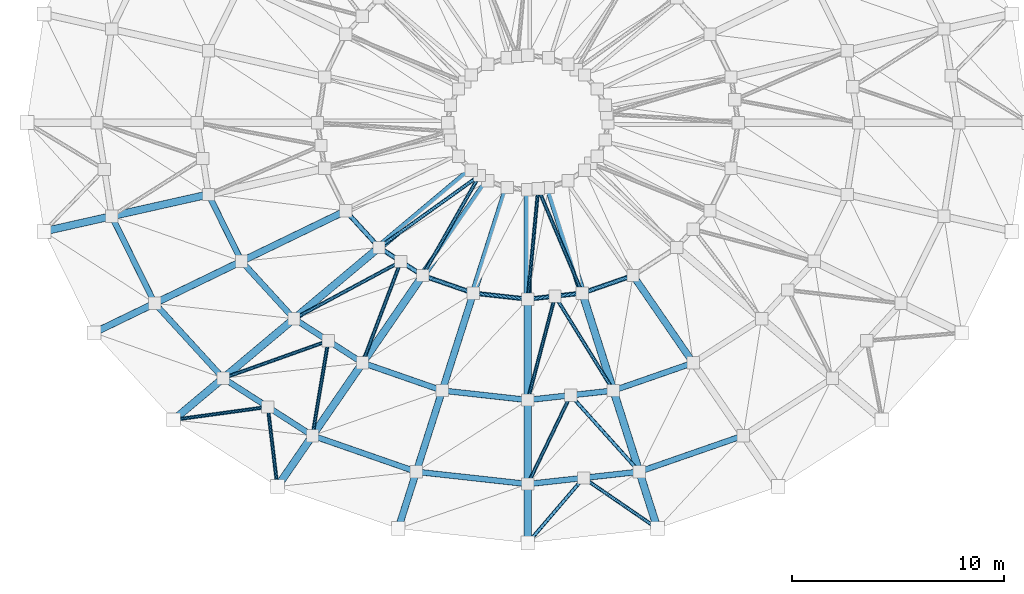
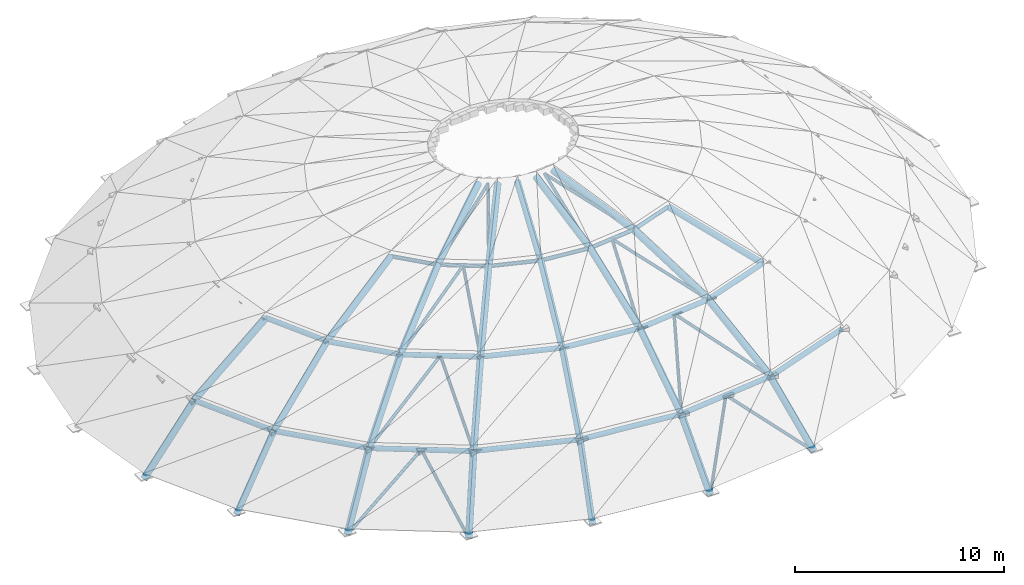
# One storey, part 1 of 11: 62 members.
"""IFC4 building model written with IfcOpenShell, lengths in metres."""

from ifc_helpers import new_model, si_unit, direction, frame, origin, origin_2d, place, context, subcontext, project, spatial, hollow_circle, extrude, material, material_profile, profile_set, type_object, element, save


model = new_model("IFC4")

# Units and contexts
model_context = context("Model", 3, precision=1e-05, world=origin(), true_north=direction((0.0, 1.0)))
body_context = subcontext(model_context, "Body", "Model", "MODEL_VIEW")
ifc_project = project(units=[si_unit("LENGTHUNIT", "METRE"), si_unit("AREAUNIT", "SQUARE_METRE"), si_unit("VOLUMEUNIT", "CUBIC_METRE"), si_unit("PLANEANGLEUNIT", "RADIAN"), si_unit("MASSUNIT", "GRAM", prefix="KILO")], contexts=[model_context])

# Site, building, storey
site_placement = place(None, origin())
site = spatial("IfcSite", under=ifc_project, at=site_placement, CompositionType="ELEMENT")
building_placement = place(site_placement, origin())
building = spatial("IfcBuilding", under=site, at=building_placement, Name="Parian Resonance Hall", CompositionType="ELEMENT")
storey_placement = place(building_placement, frame((0.0, 0.0, 27.60009765625)))
storey = spatial("IfcBuildingStorey", under=building, at=storey_placement, Name="ROOF", CompositionType="ELEMENT", Elevation=27.60009765625)

# Members
ifc_material_1 = material(Name="Hollow structural steel S355", Category="steel")
ifc_material_profile_1 = material_profile(ifc_material_1, hollow_circle(Radius=0.084228515625, WallThickness=0.008056640625, at=origin_2d()), Name="CHS168.3x8")
ifc_profile_set_1 = profile_set([ifc_material_profile_1], Name="Hollow structural steel S355")
member_type_1 = type_object("IfcMemberType", Name="MEM-CHS168", PredefinedType="BRACE", material=ifc_profile_set_1)
member_1_placement = place(storey_placement, frame((27.312255859375, 29.999267578125, -6.830078125), z_axis=(0.819800690058, 0.112114892479, 0.561566629586), x_axis=(-0.135497488008, 0.99077768987, 0.0)))
element("IfcMember", 1, at=member_1_placement, inside=storey, type_object=member_type_1, Name="Dome sector K-brace 6.1A", PredefinedType="BRACE", context=body_context, shape_type="SweptSolid", body=[
    extrude(hollow_circle(Radius=0.084228515625, WallThickness=0.008056640625, at=origin_2d()), origin(), (0.0, 0.0, 1.0), 5.41357421875),
])
member_2_placement = place(storey_placement, frame((32.199951171875, 26.852783203125, -6.830078125), z_axis=(-0.092703946862, 0.773740759532, 0.626682707018), x_axis=(-0.992898824592, -0.118961859952, 0.0)))
element("IfcMember", 2, at=member_2_placement, inside=storey, type_object=member_type_1, Name="Dome sector K-brace 6.1B", PredefinedType="BRACE", context=body_context, shape_type="SweptSolid", body=[
    extrude(hollow_circle(Radius=0.084228515625, WallThickness=0.008056640625, at=origin_2d()), origin(), (0.0, 0.0, 1.0), 4.85107421875),
])
member_3_placement = place(storey_placement, frame((29.648681640625, 31.95947265625, -3.7900390625), z_axis=(0.844414372986, 0.300502742786, 0.443466422938), x_axis=(-0.335273641544, 0.94212079124, 0.0)))
element("IfcMember", 3, at=member_3_placement, inside=storey, type_object=member_type_1, Name="Dome sector K-brace 6.2A", PredefinedType="BRACE", context=body_context, shape_type="SweptSolid", body=[
    extrude(hollow_circle(Radius=0.084228515625, WallThickness=0.008056640625, at=origin_2d()), origin(), (0.0, 0.0, 1.0), 5.862548828125),
])
member_4_placement = place(storey_placement, frame((33.85205078125, 29.25341796875, -3.7900390625), z_axis=(0.143038324777, 0.855425275625, 0.497782719133), x_axis=(-0.98630638467, 0.164923362683, 0.0)))
element("IfcMember", 4, at=member_4_placement, inside=storey, type_object=member_type_1, Name="Dome sector K-brace 6.2B", PredefinedType="BRACE", context=body_context, shape_type="SweptSolid", body=[
    extrude(hollow_circle(Radius=0.084228515625, WallThickness=0.008056640625, at=origin_2d()), origin(), (0.0, 0.0, 1.0), 5.222900390625),
])
member_5_placement = place(storey_placement, frame((32.986083984375, 34.759521484375, -1.190185546875), z_axis=(0.840414485122, 0.450893442767, 0.300663593518), x_axis=(-0.472768310909, 0.881186770328, 0.0)))
element("IfcMember", 5, at=member_5_placement, inside=storey, type_object=member_type_1, Name="Dome sector K-brace 6.3A", PredefinedType="BRACE", context=body_context, shape_type="SweptSolid", body=[
    extrude(hollow_circle(Radius=0.084228515625, WallThickness=0.008056640625, at=origin_2d()), origin(), (0.0, 0.0, 1.0), 5.98681640625),
])
member_6_placement = place(storey_placement, frame((36.2119140625, 32.682861328125, -1.190185546875), z_axis=(0.333514407723, 0.882171762884, 0.332477248262), x_axis=(-0.935384598933, 0.353632085759, 0.0)))
element("IfcMember", 6, at=member_6_placement, inside=storey, type_object=member_type_1, Name="Dome sector K-brace 6.3B", PredefinedType="BRACE", context=body_context, shape_type="SweptSolid", body=[
    extrude(hollow_circle(Radius=0.084228515625, WallThickness=0.008056640625, at=origin_2d()), origin(), (0.0, 0.0, 1.0), 5.4140625),
])
member_7_placement = place(storey_placement, frame((36.9912109375, 38.11962890625, 0.60986328125), z_axis=(0.800918636293, 0.573827010362, 0.171031869011), x_axis=(-0.582408510243, 0.812896258569, 0.0)))
element("IfcMember", 7, at=member_7_placement, inside=storey, type_object=member_type_1, Name="Dome sector K-brace 6.4A", PredefinedType="BRACE", context=body_context, shape_type="SweptSolid", body=[
    extrude(hollow_circle(Radius=0.084228515625, WallThickness=0.008056640625, at=origin_2d()), origin(), (0.0, 0.0, 1.0), 5.9052734375),
])
member_8_placement = place(storey_placement, frame((39.0439453125, 36.798095703125, 0.60986328125), z_axis=(0.485745159588, 0.854672263012, 0.1832674624), x_axis=(-0.869397165305, 0.494113923058, 0.0)))
element("IfcMember", 8, at=member_8_placement, inside=storey, type_object=member_type_1, Name="Dome sector K-brace 6.4B", PredefinedType="BRACE", context=body_context, shape_type="SweptSolid", body=[
    extrude(hollow_circle(Radius=0.084228515625, WallThickness=0.008056640625, at=origin_2d()), origin(), (0.0, 0.0, 1.0), 5.51123046875),
])
member_9_placement = place(storey_placement, frame((44.0, 24.199951171875, -6.830078125), z_axis=(0.519938489796, 0.606208261527, 0.601810194733), x_axis=(-0.759051522414, 0.651030557134, 0.0)))
element("IfcMember", 9, at=member_9_placement, inside=storey, type_object=member_type_1, Name="Dome sector K-brace 7.1A", PredefinedType="BRACE", context=body_context, shape_type="SweptSolid", body=[
    extrude(hollow_circle(Radius=0.084228515625, WallThickness=0.008056640625, at=origin_2d()), origin(), (0.0, 0.0, 1.0), 5.051513671875),
])
member_10_placement = place(storey_placement, frame((50.108154296875, 24.874755859375, -6.830078125), z_axis=(-0.669259685463, 0.458922268014, 0.584364462758), x_axis=(-0.565529479419, -0.824728081193, 0.0)))
element("IfcMember", 10, at=member_10_placement, inside=storey, type_object=member_type_1, Name="Dome sector K-brace 7.1B", PredefinedType="BRACE", context=body_context, shape_type="SweptSolid", body=[
    extrude(hollow_circle(Radius=0.084228515625, WallThickness=0.008056640625, at=origin_2d()), origin(), (0.0, 0.0, 1.0), 5.202392578125),
])
member_11_placement = place(storey_placement, frame((44.0, 26.971923828125, -3.7900390625), z_axis=(0.378770424137, 0.786031210846, 0.488556958168), x_axis=(-0.900862325877, 0.434104906464, 0.0)))
element("IfcMember", 11, at=member_11_placement, inside=storey, type_object=member_type_1, Name="Dome sector K-brace 7.2A", PredefinedType="BRACE", context=body_context, shape_type="SweptSolid", body=[
    extrude(hollow_circle(Radius=0.084228515625, WallThickness=0.008056640625, at=origin_2d()), origin(), (0.0, 0.0, 1.0), 5.321533203125),
])
member_12_placement = place(storey_placement, frame((49.2529296875, 27.55224609375, -3.7900390625), z_axis=(-0.588915664246, 0.655357431494, 0.472953462184), x_axis=(-0.743805239604, -0.668396413469, 0.0)))
element("IfcMember", 12, at=member_12_placement, inside=storey, type_object=member_type_1, Name="Dome sector K-brace 7.2B", PredefinedType="BRACE", context=body_context, shape_type="SweptSolid", body=[
    extrude(hollow_circle(Radius=0.084228515625, WallThickness=0.008056640625, at=origin_2d()), origin(), (0.0, 0.0, 1.0), 5.4970703125),
])
member_13_placement = place(storey_placement, frame((44.0, 30.931884765625, -1.190185546875), z_axis=(0.238875521293, 0.911355124537, 0.335216828796), x_axis=(-0.967323487086, 0.253545402901, 0.0)))
element("IfcMember", 13, at=member_13_placement, inside=storey, type_object=member_type_1, Name="Dome sector K-brace 7.3A", PredefinedType="BRACE", context=body_context, shape_type="SweptSolid", body=[
    extrude(hollow_circle(Radius=0.084228515625, WallThickness=0.008056640625, at=origin_2d()), origin(), (0.0, 0.0, 1.0), 5.369873046875),
])
member_14_placement = place(storey_placement, frame((48.031494140625, 31.377197265625, -1.190185546875), z_axis=(-0.49703351156, 0.804374066448, 0.325484330823), x_axis=(-0.850696683556, -0.525656877238, 0.0)))
element("IfcMember", 14, at=member_14_placement, inside=storey, type_object=member_type_1, Name="Dome sector K-brace 7.3B", PredefinedType="BRACE", context=body_context, shape_type="SweptSolid", body=[
    extrude(hollow_circle(Radius=0.084228515625, WallThickness=0.008056640625, at=origin_2d()), origin(), (0.0, 0.0, 1.0), 5.5302734375),
])
member_15_placement = place(storey_placement, frame((44.0, 35.68408203125, 0.60986328125), z_axis=(0.091801835656, 0.97752209511, 0.189797198455), x_axis=(-0.995619149978, 0.093501380725, 0.0)))
element("IfcMember", 15, at=member_15_placement, inside=storey, type_object=member_type_1, Name="Dome sector K-brace 7.4A", PredefinedType="BRACE", context=body_context, shape_type="SweptSolid", body=[
    extrude(hollow_circle(Radius=0.084228515625, WallThickness=0.008056640625, at=origin_2d()), origin(), (0.0, 0.0, 1.0), 5.321533203125),
])
member_16_placement = place(storey_placement, frame((46.5654296875, 35.96728515625, 0.60986328125), z_axis=(-0.382212441262, 0.905187969213, 0.185871972434), x_axis=(-0.921241550544, -0.388991009603, 0.0)))
element("IfcMember", 16, at=member_16_placement, inside=storey, type_object=member_type_1, Name="Dome sector K-brace 7.4B", PredefinedType="BRACE", context=body_context, shape_type="SweptSolid", body=[
    extrude(hollow_circle(Radius=0.084228515625, WallThickness=0.008056640625, at=origin_2d()), origin(), (0.0, 0.0, 1.0), 5.433837890625),
])
ifc_material_2 = material(Name="Hollow structural steel S355", Category="steel")
ifc_material_profile_2 = material_profile(ifc_material_2, hollow_circle(Radius=0.109619140625, WallThickness=0.010009765625, at=origin_2d()), Name="CHS219.1x10")
ifc_profile_set_2 = profile_set([ifc_material_profile_2], Name="Hollow structural steel S355")
member_type_2 = type_object("IfcMemberType", Name="MEM-CHS219", PredefinedType="CHORD", material=ifc_profile_set_2)
member_17_placement = place(storey_placement, frame((35.416015625, 39.842041015625, 0.60986328125), z_axis=(0.674866861926, -0.737939508817, 0.0), x_axis=(0.737939508817, 0.674866861926, 0.0)))
element("IfcMember", 17, at=member_17_placement, inside=storey, type_object=member_type_2, Name="Dome tubular hoop ring J3-15", PredefinedType="CHORD", context=body_context, shape_type="SweptSolid", body=[
    extrude(hollow_circle(Radius=0.109619140625, WallThickness=0.010009765625, at=origin_2d()), origin(), (0.0, 0.0, 1.0), 2.333984375),
])
member_18_placement = place(storey_placement, frame((36.9912109375, 38.11962890625, 0.60986328125), z_axis=(0.840820882046, -0.541313443686, 0.0), x_axis=(0.541313443686, 0.840820882046, 0.0)))
element("IfcMember", 18, at=member_18_placement, inside=storey, type_object=member_type_2, Name="Dome tubular hoop ring J3-16", PredefinedType="CHORD", context=body_context, shape_type="SweptSolid", body=[
    extrude(hollow_circle(Radius=0.109619140625, WallThickness=0.010009765625, at=origin_2d()), origin(), (0.0, 0.0, 1.0), 2.44140625),
])
member_19_placement = place(storey_placement, frame((39.0439453125, 36.798095703125, 0.60986328125), z_axis=(0.944583955965, -0.32826993486, 0.0), x_axis=(0.32826993486, 0.944583955965, 0.0)))
element("IfcMember", 19, at=member_19_placement, inside=storey, type_object=member_type_2, Name="Dome tubular hoop ring J3-17", PredefinedType="CHORD", context=body_context, shape_type="SweptSolid", body=[
    extrude(hollow_circle(Radius=0.109619140625, WallThickness=0.010009765625, at=origin_2d()), origin(), (0.0, 0.0, 1.0), 2.53076171875),
])
for number, where, z_axis, x_axis, name in (
    (20, (41.4345703125, 35.96728515625, 0.60986328125), (0.993961925235, -0.109725526577, 0.0), (0.109725526577, 0.993961925235, 0.0), "Dome tubular hoop ring J3-18"),
    (21, (44.0, 35.68408203125, 0.60986328125), (0.993961925235, 0.109725526577, 0.0), (-0.109725526577, 0.993961925235, 0.0), "Dome tubular hoop ring J3-19"),
):
    element("IfcMember", number, at=place(storey_placement, frame(where, z_axis=z_axis, x_axis=x_axis)), inside=storey, type_object=member_type_2, Name=name, PredefinedType="CHORD", context=body_context, shape_type="SweptSolid", body=[
        extrude(hollow_circle(Radius=0.109619140625, WallThickness=0.010009765625, at=origin_2d()), origin(), (0.0, 0.0, 1.0), 2.5810546875),
    ])
member_20_placement = place(storey_placement, frame((46.5654296875, 35.96728515625, 0.60986328125), z_axis=(0.944583955965, 0.32826993486, 0.0), x_axis=(-0.32826993486, 0.944583955965, 0.0)))
element("IfcMember", 22, at=member_20_placement, inside=storey, type_object=member_type_2, Name="Dome tubular hoop ring J3-20", PredefinedType="CHORD", context=body_context, shape_type="SweptSolid", body=[
    extrude(hollow_circle(Radius=0.109619140625, WallThickness=0.010009765625, at=origin_2d()), origin(), (0.0, 0.0, 1.0), 2.53076171875),
])
ifc_material_3 = material(Name="Hollow structural steel S355", Category="steel")
ifc_material_profile_3 = material_profile(ifc_material_3, hollow_circle(Radius=0.136474609375, WallThickness=0.012451171875, at=origin_2d()), Name="CHS273x12.5")
ifc_profile_set_3 = profile_set([ifc_material_profile_3], Name="Hollow structural steel S355")
member_type_3 = type_object("IfcMemberType", Name="MEM-CHS273", PredefinedType="CHORD", material=ifc_profile_set_3)
member_21_placement = place(storey_placement, frame((24.3955078125, 39.5927734375, -3.7900390625), z_axis=(0.442708885431, -0.896665401786, 0.0), x_axis=(0.896665401786, 0.442708885431, 0.0)))
element("IfcMember", 23, at=member_21_placement, inside=storey, type_object=member_type_3, Name="Dome tubular hoop ring J1-14", PredefinedType="CHORD", context=body_context, shape_type="SweptSolid", body=[
    extrude(hollow_circle(Radius=0.136474609375, WallThickness=0.012451171875, at=origin_2d()), origin(), (0.0, 0.0, 1.0), 4.580078125),
])
member_22_placement = place(storey_placement, frame((26.423095703125, 35.486083984375, -3.7900390625), z_axis=(0.674912283642, -0.737897966788, 0.0), x_axis=(0.737897966788, 0.674912283642, 0.0)))
element("IfcMember", 24, at=member_22_placement, inside=storey, type_object=member_type_3, Name="Dome tubular hoop ring J1-15", PredefinedType="CHORD", context=body_context, shape_type="SweptSolid", body=[
    extrude(hollow_circle(Radius=0.136474609375, WallThickness=0.012451171875, at=origin_2d()), origin(), (0.0, 0.0, 1.0), 4.779296875),
])
member_23_placement = place(storey_placement, frame((29.648681640625, 31.95947265625, -3.7900390625), z_axis=(0.84082444834, -0.54130790413, 0.0), x_axis=(0.54130790413, 0.84082444834, 0.0)))
element("IfcMember", 25, at=member_23_placement, inside=storey, type_object=member_type_3, Name="Dome tubular hoop ring J1-16", PredefinedType="CHORD", context=body_context, shape_type="SweptSolid", body=[
    extrude(hollow_circle(Radius=0.136474609375, WallThickness=0.012451171875, at=origin_2d()), origin(), (0.0, 0.0, 1.0), 4.9990234375),
])
member_24_placement = place(storey_placement, frame((33.85205078125, 29.25341796875, -3.7900390625), z_axis=(0.944583201085, -0.328272106991, 0.0), x_axis=(0.328272106991, 0.944583201085, 0.0)))
element("IfcMember", 26, at=member_24_placement, inside=storey, type_object=member_type_3, Name="Dome tubular hoop ring J1-17", PredefinedType="CHORD", context=body_context, shape_type="SweptSolid", body=[
    extrude(hollow_circle(Radius=0.136474609375, WallThickness=0.012451171875, at=origin_2d()), origin(), (0.0, 0.0, 1.0), 5.18212890625),
])
for number, where, z_axis, x_axis, name in (
    (27, (38.7470703125, 27.55224609375, -3.7900390625), (0.993952832989, -0.109807858525, 0.0), (0.109807858525, 0.993952832989, 0.0), "Dome tubular hoop ring J1-18"),
    (28, (44.0, 26.971923828125, -3.7900390625), (0.993952832989, 0.109807858525, 0.0), (-0.109807858525, 0.993952832989, 0.0), "Dome tubular hoop ring J1-19"),
):
    element("IfcMember", number, at=place(storey_placement, frame(where, z_axis=z_axis, x_axis=x_axis)), inside=storey, type_object=member_type_3, Name=name, PredefinedType="CHORD", context=body_context, shape_type="SweptSolid", body=[
        extrude(hollow_circle(Radius=0.136474609375, WallThickness=0.012451171875, at=origin_2d()), origin(), (0.0, 0.0, 1.0), 5.284912109375),
    ])
member_25_placement = place(storey_placement, frame((49.2529296875, 27.55224609375, -3.7900390625), z_axis=(0.944583201085, 0.328272106991, 0.0), x_axis=(-0.328272106991, 0.944583201085, 0.0)))
element("IfcMember", 29, at=member_25_placement, inside=storey, type_object=member_type_3, Name="Dome tubular hoop ring J1-20", PredefinedType="CHORD", context=body_context, shape_type="SweptSolid", body=[
    extrude(hollow_circle(Radius=0.136474609375, WallThickness=0.012451171875, at=origin_2d()), origin(), (0.0, 0.0, 1.0), 5.18212890625),
])
member_26_placement = place(storey_placement, frame((28.95458984375, 40.617919921875, -1.190185546875), z_axis=(0.442707238803, -0.896666214771, 0.0), x_axis=(0.896666214771, 0.442707238803, 0.0)))
element("IfcMember", 30, at=member_26_placement, inside=storey, type_object=member_type_3, Name="Dome tubular hoop ring J2-14", PredefinedType="CHORD", context=body_context, shape_type="SweptSolid", body=[
    extrude(hollow_circle(Radius=0.136474609375, WallThickness=0.012451171875, at=origin_2d()), origin(), (0.0, 0.0, 1.0), 3.51513671875),
])
member_27_placement = place(storey_placement, frame((30.5107421875, 37.466064453125, -1.190185546875), z_axis=(0.674886246736, -0.737921780385, 0.0), x_axis=(0.737921780385, 0.674886246736, 0.0)))
element("IfcMember", 31, at=member_27_placement, inside=storey, type_object=member_type_3, Name="Dome tubular hoop ring J2-15", PredefinedType="CHORD", context=body_context, shape_type="SweptSolid", body=[
    extrude(hollow_circle(Radius=0.136474609375, WallThickness=0.012451171875, at=origin_2d()), origin(), (0.0, 0.0, 1.0), 3.667724609375),
])
member_28_placement = place(storey_placement, frame((32.986083984375, 34.759521484375, -1.190185546875), z_axis=(0.840833011085, -0.541294603216, 0.0), x_axis=(0.541294603216, 0.840833011085, 0.0)))
element("IfcMember", 32, at=member_28_placement, inside=storey, type_object=member_type_3, Name="Dome tubular hoop ring J2-16", PredefinedType="CHORD", context=body_context, shape_type="SweptSolid", body=[
    extrude(hollow_circle(Radius=0.136474609375, WallThickness=0.012451171875, at=origin_2d()), origin(), (0.0, 0.0, 1.0), 3.83642578125),
])
member_29_placement = place(storey_placement, frame((36.2119140625, 32.682861328125, -1.190185546875), z_axis=(0.944572962481, -0.328301566475, 0.0), x_axis=(0.328301566475, 0.944572962481, 0.0)))
element("IfcMember", 33, at=member_29_placement, inside=storey, type_object=member_type_3, Name="Dome tubular hoop ring J2-17", PredefinedType="CHORD", context=body_context, shape_type="SweptSolid", body=[
    extrude(hollow_circle(Radius=0.136474609375, WallThickness=0.012451171875, at=origin_2d()), origin(), (0.0, 0.0, 1.0), 3.97705078125),
])
for number, where, z_axis, x_axis, name in (
    (34, (39.968505859375, 31.377197265625, -1.190185546875), (0.993954731115, -0.109790675804, 0.0), (0.109790675804, 0.993954731115, 0.0), "Dome tubular hoop ring J2-18"),
    (35, (44.0, 30.931884765625, -1.190185546875), (0.993954731115, 0.109790675804, 0.0), (-0.109790675804, 0.993954731115, 0.0), "Dome tubular hoop ring J2-19"),
):
    element("IfcMember", number, at=place(storey_placement, frame(where, z_axis=z_axis, x_axis=x_axis)), inside=storey, type_object=member_type_3, Name=name, PredefinedType="CHORD", context=body_context, shape_type="SweptSolid", body=[
        extrude(hollow_circle(Radius=0.136474609375, WallThickness=0.012451171875, at=origin_2d()), origin(), (0.0, 0.0, 1.0), 4.055908203125),
    ])
member_30_placement = place(storey_placement, frame((48.031494140625, 31.377197265625, -1.190185546875), z_axis=(0.944572962481, 0.328301566475, 0.0), x_axis=(-0.328301566475, 0.944572962481, 0.0)))
element("IfcMember", 36, at=member_30_placement, inside=storey, type_object=member_type_3, Name="Dome tubular hoop ring J2-20", PredefinedType="CHORD", context=body_context, shape_type="SweptSolid", body=[
    extrude(hollow_circle(Radius=0.136474609375, WallThickness=0.012451171875, at=origin_2d()), origin(), (0.0, 0.0, 1.0), 3.97705078125),
])
ifc_material_4 = material(Name="Hollow structural steel S355", Category="steel")
ifc_material_profile_4 = material_profile(ifc_material_4, hollow_circle(Radius=0.161865234375, WallThickness=0.01416015625, at=origin_2d()), Name="CHS323.9x14.2")
ifc_profile_set_4 = profile_set([ifc_material_profile_4], Name="Hollow structural steel S355")
member_type_4 = type_object("IfcMemberType", Name="MEM-CHS323", PredefinedType="CHORD", material=ifc_profile_set_4)
member_31_placement = place(storey_placement, frame((23.561767578125, 34.10009765625, -6.830078125), z_axis=(0.650469958317, 0.315078323666, 0.691096580286), x_axis=(-0.435936228365, 0.899977557942, 0.0)))
element("IfcMember", 37, at=member_31_placement, inside=storey, type_object=member_type_4, Name="Dome meridional arch rib 15.1", PredefinedType="CHORD", context=body_context, shape_type="SweptSolid", body=[
    extrude(hollow_circle(Radius=0.161865234375, WallThickness=0.01416015625, at=origin_2d()), origin(), (0.0, 0.0, 1.0), 4.39892578125),
])
member_32_placement = place(storey_placement, frame((26.423095703125, 35.486083984375, -3.7900390625), z_axis=(0.781069863366, 0.37833581747, 0.496781519141), x_axis=(-0.435933215664, 0.899979017245, 0.0)))
element("IfcMember", 38, at=member_32_placement, inside=storey, type_object=member_type_4, Name="Dome meridional arch rib 15.2", PredefinedType="CHORD", context=body_context, shape_type="SweptSolid", body=[
    extrude(hollow_circle(Radius=0.161865234375, WallThickness=0.01416015625, at=origin_2d()), origin(), (0.0, 0.0, 1.0), 5.2333984375),
])
member_33_placement = place(storey_placement, frame((30.5107421875, 37.466064453125, -1.190185546875), z_axis=(0.854583117069, 0.413936038986, 0.313599508369), x_axis=(-0.43592618617, 0.899982422168, 0.0)))
element("IfcMember", 39, at=member_33_placement, inside=storey, type_object=member_type_4, Name="Dome meridional arch rib 15.3", PredefinedType="CHORD", context=body_context, shape_type="SweptSolid", body=[
    extrude(hollow_circle(Radius=0.161865234375, WallThickness=0.01416015625, at=origin_2d()), origin(), (0.0, 0.0, 1.0), 5.739990234375),
])
member_34_placement = place(storey_placement, frame((37.891845703125, 24.874755859375, -6.830078125), z_axis=(0.206560322512, 0.64668771253, 0.734253250335), x_axis=(-0.952586384792, 0.304268268982, 0.0)))
element("IfcMember", 40, at=member_34_placement, inside=storey, type_object=member_type_4, Name="Dome meridional arch rib 18.1", PredefinedType="CHORD", context=body_context, shape_type="SweptSolid", body=[
    extrude(hollow_circle(Radius=0.161865234375, WallThickness=0.01416015625, at=origin_2d()), origin(), (0.0, 0.0, 1.0), 4.140380859375),
])
member_35_placement = place(storey_placement, frame((38.7470703125, 27.55224609375, -3.7900390625), z_axis=(0.255346147486, 0.799621845424, 0.543510118843), x_axis=(-0.95260823682, 0.304199847374, 0.0)))
element("IfcMember", 41, at=member_35_placement, inside=storey, type_object=member_type_4, Name="Dome meridional arch rib 18.2", PredefinedType="CHORD", context=body_context, shape_type="SweptSolid", body=[
    extrude(hollow_circle(Radius=0.161865234375, WallThickness=0.01416015625, at=origin_2d()), origin(), (0.0, 0.0, 1.0), 4.783447265625),
])
member_36_placement = place(storey_placement, frame((39.968505859375, 31.377197265625, -1.190185546875), z_axis=(0.285017186209, 0.892357721552, 0.34994699649), x_axis=(-0.952590492926, 0.30425540716, 0.0)))
element("IfcMember", 42, at=member_36_placement, inside=storey, type_object=member_type_4, Name="Dome meridional arch rib 18.3", PredefinedType="CHORD", context=body_context, shape_type="SweptSolid", body=[
    extrude(hollow_circle(Radius=0.161865234375, WallThickness=0.01416015625, at=origin_2d()), origin(), (0.0, 0.0, 1.0), 5.143798828125),
])
member_37_placement = place(storey_placement, frame((41.4345703125, 35.96728515625, 0.60986328125), z_axis=(0.298694692892, 0.935251883908, 0.189961559492), x_axis=(-0.952597223062, 0.304234335036, 0.0)))
element("IfcMember", 43, at=member_37_placement, inside=storey, type_object=member_type_4, Name="Dome meridional arch rib 18.4", PredefinedType="CHORD", context=body_context, shape_type="SweptSolid", body=[
    extrude(hollow_circle(Radius=0.161865234375, WallThickness=0.01416015625, at=origin_2d()), origin(), (0.0, 0.0, 1.0), 5.31689453125),
])
member_38_placement = place(storey_placement, frame((51.7880859375, 32.682861328125, -1.190185546875), z_axis=(-0.533342710777, 0.775002132143, 0.338994466083), x_axis=(-0.823779458927, -0.566910401255, 0.0)))
element("IfcMember", 44, at=member_38_placement, inside=storey, type_object=member_type_4, Name="Dome meridional arch rib 21.3", PredefinedType="CHORD", context=body_context, shape_type="SweptSolid", body=[
    extrude(hollow_circle(Radius=0.161865234375, WallThickness=0.01416015625, at=origin_2d()), origin(), (0.0, 0.0, 1.0), 5.31005859375),
])
ifc_material_5 = material(Name="Hollow structural steel S355", Category="steel")
ifc_material_profile_5 = material_profile(ifc_material_5, hollow_circle(Radius=0.177734375, WallThickness=0.01611328125, at=origin_2d()), Name="CHS355.6x16")
ifc_profile_set_5 = profile_set([ifc_material_profile_5], Name="Hollow structural steel S355")
member_type_5 = type_object("IfcMemberType", Name="MEM-CHS355", PredefinedType="CHORD", material=ifc_profile_set_5)
member_39_placement = place(storey_placement, frame((21.2041015625, 38.87548828125, -6.830078125), z_axis=(0.714667720848, 0.160625287932, 0.68077130202), x_axis=(-0.219284857934, 0.975660879138, 0.0)))
element("IfcMember", 45, at=member_39_placement, inside=storey, type_object=member_type_5, Name="Dome meridional arch rib 14.1", PredefinedType="CHORD", context=body_context, shape_type="SweptSolid", body=[
    extrude(hollow_circle(Radius=0.177734375, WallThickness=0.01611328125, at=origin_2d()), origin(), (0.0, 0.0, 1.0), 4.465576171875),
])
member_40_placement = place(storey_placement, frame((24.3955078125, 39.5927734375, -3.7900390625), z_axis=(0.852568680969, 0.191706966445, 0.486184207114), x_axis=(-0.219380412933, 0.975639397739, 0.0)))
element("IfcMember", 46, at=member_40_placement, inside=storey, type_object=member_type_5, Name="Dome meridional arch rib 14.2", PredefinedType="CHORD", context=body_context, shape_type="SweptSolid", body=[
    extrude(hollow_circle(Radius=0.177734375, WallThickness=0.01611328125, at=origin_2d()), origin(), (0.0, 0.0, 1.0), 5.347412109375),
])
member_41_placement = place(storey_placement, frame((27.312255859375, 29.999267578125, -6.830078125), z_axis=(0.542575906684, 0.455208145744, 0.705972329157), x_axis=(-0.642732013242, 0.766091090637, 0.0)))
element("IfcMember", 47, at=member_41_placement, inside=storey, type_object=member_type_5, Name="Dome meridional arch rib 16.1", PredefinedType="CHORD", context=body_context, shape_type="SweptSolid", body=[
    extrude(hollow_circle(Radius=0.177734375, WallThickness=0.01611328125, at=origin_2d()), origin(), (0.0, 0.0, 1.0), 4.30615234375),
])
member_42_placement = place(storey_placement, frame((29.648681640625, 31.95947265625, -3.7900390625), z_axis=(0.657844338312, 0.551925143826, 0.51246410817), x_axis=(-0.64273854319, 0.76608561212, 0.0)))
element("IfcMember", 48, at=member_42_placement, inside=storey, type_object=member_type_5, Name="Dome meridional arch rib 16.2", PredefinedType="CHORD", context=body_context, shape_type="SweptSolid", body=[
    extrude(hollow_circle(Radius=0.177734375, WallThickness=0.01611328125, at=origin_2d()), origin(), (0.0, 0.0, 1.0), 5.0732421875),
])
member_43_placement = place(storey_placement, frame((32.986083984375, 34.759521484375, -1.190185546875), z_axis=(0.724365289825, 0.607707374817, 0.325555945253), x_axis=(-0.642721030108, 0.766100305088, 0.0)))
element("IfcMember", 49, at=member_43_placement, inside=storey, type_object=member_type_5, Name="Dome meridional arch rib 16.3", PredefinedType="CHORD", context=body_context, shape_type="SweptSolid", body=[
    extrude(hollow_circle(Radius=0.177734375, WallThickness=0.01611328125, at=origin_2d()), origin(), (0.0, 0.0, 1.0), 5.529052734375),
])
member_44_placement = place(storey_placement, frame((36.9912109375, 38.11962890625, 0.60986328125), z_axis=(0.75417784185, 0.63276760071, 0.17555895407), x_axis=(-0.642750205838, 0.766075827118, 0.0)))
element("IfcMember", 50, at=member_44_placement, inside=storey, type_object=member_type_5, Name="Dome meridional arch rib 16.4", PredefinedType="CHORD", context=body_context, shape_type="SweptSolid", body=[
    extrude(hollow_circle(Radius=0.177734375, WallThickness=0.01611328125, at=origin_2d()), origin(), (0.0, 0.0, 1.0), 5.753173828125),
])
member_45_placement = place(storey_placement, frame((32.199951171875, 26.852783203125, -6.830078125), z_axis=(0.392309643601, 0.570057739844, 0.721891485461), x_axis=(-0.82377539234, 0.56691631038, 0.0)))
element("IfcMember", 51, at=member_45_placement, inside=storey, type_object=member_type_5, Name="Dome meridional arch rib 17.1", PredefinedType="CHORD", context=body_context, shape_type="SweptSolid", body=[
    extrude(hollow_circle(Radius=0.177734375, WallThickness=0.01611328125, at=origin_2d()), origin(), (0.0, 0.0, 1.0), 4.211181640625),
])
member_46_placement = place(storey_placement, frame((33.85205078125, 29.25341796875, -3.7900390625), z_axis=(0.480811647999, 0.698733831931, 0.52970859089), x_axis=(-0.82380399977, 0.566874739217, 0.0)))
element("IfcMember", 52, at=member_46_placement, inside=storey, type_object=member_type_5, Name="Dome meridional arch rib 17.2", PredefinedType="CHORD", context=body_context, shape_type="SweptSolid", body=[
    extrude(hollow_circle(Radius=0.177734375, WallThickness=0.01611328125, at=origin_2d()), origin(), (0.0, 0.0, 1.0), 4.908203125),
])
member_47_placement = place(storey_placement, frame((36.2119140625, 32.682861328125, -1.190185546875), z_axis=(0.533342710777, 0.775002132143, 0.338994466083), x_axis=(-0.823779458927, 0.566910401255, 0.0)))
element("IfcMember", 53, at=member_47_placement, inside=storey, type_object=member_type_5, Name="Dome meridional arch rib 17.3", PredefinedType="CHORD", context=body_context, shape_type="SweptSolid", body=[
    extrude(hollow_circle(Radius=0.177734375, WallThickness=0.01611328125, at=origin_2d()), origin(), (0.0, 0.0, 1.0), 5.31005859375),
])
member_48_placement = place(storey_placement, frame((39.0439453125, 36.798095703125, 0.60986328125), z_axis=(0.557291678695, 0.809795762287, 0.183457919532), x_axis=(-0.823777269192, 0.566913583152, 0.0)))
element("IfcMember", 54, at=member_48_placement, inside=storey, type_object=member_type_5, Name="Dome meridional arch rib 17.4", PredefinedType="CHORD", context=body_context, shape_type="SweptSolid", body=[
    extrude(hollow_circle(Radius=0.177734375, WallThickness=0.01611328125, at=origin_2d()), origin(), (0.0, 0.0, 1.0), 5.50537109375),
])
member_49_placement = place(storey_placement, frame((44.0, 24.199951171875, -6.830078125), z_axis=(0.0, 0.673776731063, 0.738934988127), x_axis=(-1.0, 0.0, 0.0)))
element("IfcMember", 55, at=member_49_placement, inside=storey, type_object=member_type_5, Name="Dome meridional arch rib 19.1", PredefinedType="CHORD", context=body_context, shape_type="SweptSolid", body=[
    extrude(hollow_circle(Radius=0.177734375, WallThickness=0.01611328125, at=origin_2d()), origin(), (0.0, 0.0, 1.0), 4.114013671875),
])
member_50_placement = place(storey_placement, frame((44.0, 26.971923828125, -3.7900390625), z_axis=(0.0, 0.835938557302, 0.548823039254), x_axis=(-1.0, 0.0, 0.0)))
element("IfcMember", 56, at=member_50_placement, inside=storey, type_object=member_type_5, Name="Dome meridional arch rib 19.2", PredefinedType="CHORD", context=body_context, shape_type="SweptSolid", body=[
    extrude(hollow_circle(Radius=0.177734375, WallThickness=0.01611328125, at=origin_2d()), origin(), (0.0, 0.0, 1.0), 4.737060546875),
])
member_51_placement = place(storey_placement, frame((44.0, 30.931884765625, -1.190185546875), z_axis=(0.0, 0.935161133206, 0.35422260648), x_axis=(-1.0, 0.0, 0.0)))
element("IfcMember", 57, at=member_51_placement, inside=storey, type_object=member_type_5, Name="Dome meridional arch rib 19.3", PredefinedType="CHORD", context=body_context, shape_type="SweptSolid", body=[
    extrude(hollow_circle(Radius=0.177734375, WallThickness=0.01611328125, at=origin_2d()), origin(), (0.0, 0.0, 1.0), 5.081787109375),
])
member_52_placement = place(storey_placement, frame((44.0, 35.68408203125, 0.60986328125), z_axis=(0.0, 0.981291861527, 0.192526056679), x_axis=(-1.0, 0.0, 0.0)))
element("IfcMember", 58, at=member_52_placement, inside=storey, type_object=member_type_5, Name="Dome meridional arch rib 19.4", PredefinedType="CHORD", context=body_context, shape_type="SweptSolid", body=[
    extrude(hollow_circle(Radius=0.177734375, WallThickness=0.01611328125, at=origin_2d()), origin(), (0.0, 0.0, 1.0), 5.24609375),
])
member_53_placement = place(storey_placement, frame((50.108154296875, 24.874755859375, -6.830078125), z_axis=(-0.206560322512, 0.64668771253, 0.734253250335), x_axis=(-0.952586384792, -0.304268268982, 0.0)))
element("IfcMember", 59, at=member_53_placement, inside=storey, type_object=member_type_5, Name="Dome meridional arch rib 20.1", PredefinedType="CHORD", context=body_context, shape_type="SweptSolid", body=[
    extrude(hollow_circle(Radius=0.177734375, WallThickness=0.01611328125, at=origin_2d()), origin(), (0.0, 0.0, 1.0), 4.140380859375),
])
member_54_placement = place(storey_placement, frame((49.2529296875, 27.55224609375, -3.7900390625), z_axis=(-0.255346147486, 0.799621845424, 0.543510118843), x_axis=(-0.95260823682, -0.304199847374, 0.0)))
element("IfcMember", 60, at=member_54_placement, inside=storey, type_object=member_type_5, Name="Dome meridional arch rib 20.2", PredefinedType="CHORD", context=body_context, shape_type="SweptSolid", body=[
    extrude(hollow_circle(Radius=0.177734375, WallThickness=0.01611328125, at=origin_2d()), origin(), (0.0, 0.0, 1.0), 4.783447265625),
])
member_55_placement = place(storey_placement, frame((48.031494140625, 31.377197265625, -1.190185546875), z_axis=(-0.285017186209, 0.892357721552, 0.34994699649), x_axis=(-0.952590492926, -0.30425540716, 0.0)))
element("IfcMember", 61, at=member_55_placement, inside=storey, type_object=member_type_5, Name="Dome meridional arch rib 20.3", PredefinedType="CHORD", context=body_context, shape_type="SweptSolid", body=[
    extrude(hollow_circle(Radius=0.177734375, WallThickness=0.01611328125, at=origin_2d()), origin(), (0.0, 0.0, 1.0), 5.143798828125),
])
member_56_placement = place(storey_placement, frame((46.5654296875, 35.96728515625, 0.60986328125), z_axis=(-0.298694692892, 0.935251883908, 0.189961559492), x_axis=(-0.952597223062, -0.304234335036, 0.0)))
element("IfcMember", 62, at=member_56_placement, inside=storey, type_object=member_type_5, Name="Dome meridional arch rib 20.4", PredefinedType="CHORD", context=body_context, shape_type="SweptSolid", body=[
    extrude(hollow_circle(Radius=0.177734375, WallThickness=0.01611328125, at=origin_2d()), origin(), (0.0, 0.0, 1.0), 5.31689453125),
])

save(model, "model.ifc")
